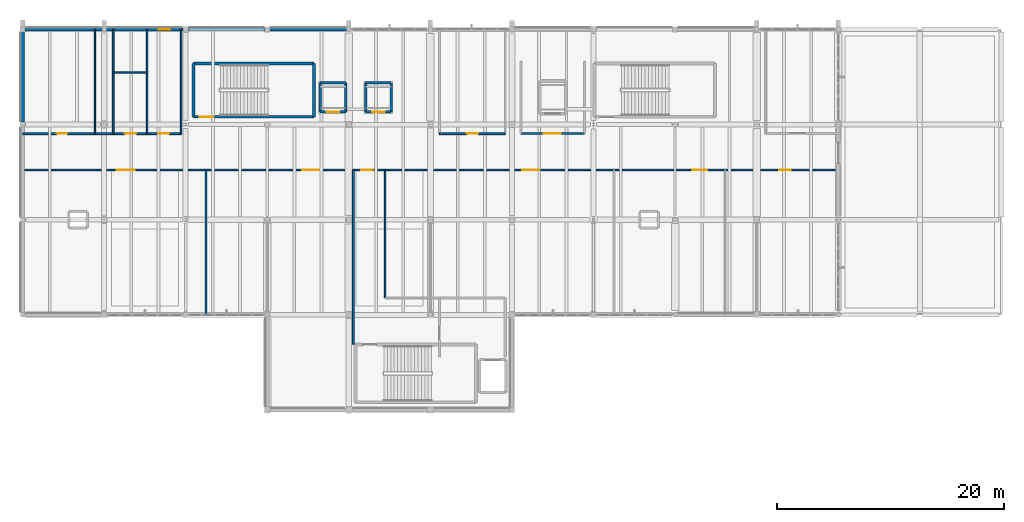
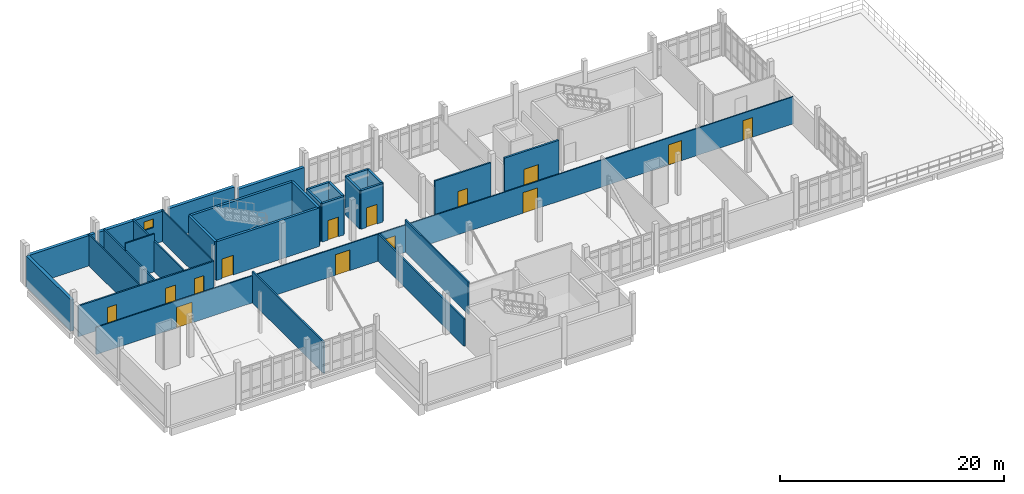
# One storey, part 29 of 34: 29 walls, 14 doors, 1 window, 15 openings.
"""IFC4 building model written with IfcOpenShell, lengths in metres."""

from ifc_helpers import new_model, si_unit, direction, frame, frame_2d, origin, place, context, subcontext, project, spatial, rectangle, extrude, material, layer, layer_set, type_object, element, fill, save


model = new_model("IFC4")

# Units and contexts
model_context = context("Model", 3, precision=1e-05, world=origin(), true_north=direction((0.0, 1.0)))
body_context = subcontext(model_context, "Body", "Model", "MODEL_VIEW")
ifc_project = project(units=[si_unit("LENGTHUNIT", "METRE"), si_unit("AREAUNIT", "SQUARE_METRE"), si_unit("VOLUMEUNIT", "CUBIC_METRE"), si_unit("PLANEANGLEUNIT", "RADIAN"), si_unit("MASSUNIT", "GRAM", prefix="KILO")], contexts=[model_context])

# Site, building, storey
site_placement = place(None, origin())
site = spatial("IfcSite", under=ifc_project, at=site_placement, CompositionType="ELEMENT")
building_placement = place(site_placement, origin())
building = spatial("IfcBuilding", under=site, at=building_placement, Name="Kalluvel Institute of Natural Sciences", CompositionType="ELEMENT")
storey_placement = place(building_placement, frame((0.0, 0.0, 36.89990234375)))
storey = spatial("IfcBuildingStorey", under=building, at=storey_placement, Name="L08", CompositionType="ELEMENT", Elevation=36.89990234375)

# Wall, opening, door
ifc_material_1 = material(Name="Concrete M40", Category="concrete")
ifc_layer_1 = layer(ifc_material_1, 0.25)
ifc_layer_set_1 = layer_set([ifc_layer_1], Name="Concrete M40")
wall_type_1 = type_object("IfcWallType", Name="WL-CORE-250", PredefinedType="SHEAR", material=ifc_layer_set_1)
wall_1_placement = place(storey_placement, frame((29.0849609375, 120.284912109375, 0.0), z_axis=(0.0, 0.0, 1.0), x_axis=(1.0, 0.0, 0.0)))
wall_1 = element("IfcWall", 1, at=wall_1_placement, inside=storey, type_object=wall_type_1, Name="ST1 L08 core wall S", PredefinedType="SHEAR", context=body_context, shape_type="SweptSolid", body=[
    extrude(rectangle(XDim=10.630126953125, YDim=0.25, at=frame_2d((5.31494140625, 0.0))), origin(), (0.0, 0.0, 1.0), 4.215087890625),
])
opening_1_placement = place(wall_1_placement, frame((0.550048828125, 0.0, 0.0)))
opening_1 = element("IfcOpeningElement", 2, at=opening_1_placement, cuts=wall_1, Name="Opening DS-010", PredefinedType="OPENING", context=body_context, shape_type="SweptSolid", body=[
    extrude(rectangle(XDim=1.199951171875, YDim=2.14990234375, at=frame_2d((0.60009765625, 1.074951171875))), frame((0.0, 0.135009765625, 0.0), z_axis=(0.0, -1.0, 0.0), x_axis=(1.0, 0.0, 0.0)), (0.0, 0.0, 1.0), 0.27001953125),
])
ifc_material_2 = material(Name="Galvanized Fire-Rated Steel", Category="steel")
door_type_1 = type_object("IfcDoorType", Name="DR-ST-1200", OperationType="NOTDEFINED", PredefinedType="DOOR", material=ifc_material_2)
door_1_placement = place(opening_1_placement, origin())
door_1 = element("IfcDoor", 3, at=door_1_placement, inside=storey, type_object=door_type_1, Name="ST1 L08 protected stair door DS-010", OperationType="SINGLE_SWING_RIGHT", OverallHeight=2.14990234375, OverallWidth=1.199951171875, PredefinedType="DOOR", context=body_context, shape_type="SweptSolid", body=[
    extrude(rectangle(XDim=1.199951171875, YDim=2.14990234375, at=frame_2d((0.60009765625, 1.074951171875))), frame((0.0, 0.02490234375, 0.0), z_axis=(0.0, -1.0, 0.0), x_axis=(1.0, 0.0, 0.0)), (0.0, 0.0, 1.0), 0.050048828125),
])
fill(opening_1, door_1)

# Walls
wall_2_placement = place(storey_placement, frame((39.715087890625, 120.284912109375, 0.0), z_axis=(0.0, 0.0, 1.0), x_axis=(0.0, 1.0, 0.0)))
element("IfcWall", 4, at=wall_2_placement, inside=storey, type_object=wall_type_1, Name="ST1 L08 core wall E", PredefinedType="SHEAR", context=body_context, shape_type="SweptSolid", body=[
    extrude(rectangle(XDim=4.7001953125, YDim=0.25, at=frame_2d((2.35009765625, 0.0))), origin(), (0.0, 0.0, 1.0), 4.215087890625),
])
wall_3_placement = place(storey_placement, frame((39.715087890625, 124.985107421875, 0.0), z_axis=(0.0, 0.0, 1.0), x_axis=(-1.0, 0.0, 0.0)))
element("IfcWall", 5, at=wall_3_placement, inside=storey, type_object=wall_type_1, Name="ST1 L08 core wall N", PredefinedType="SHEAR", context=body_context, shape_type="SweptSolid", body=[
    extrude(rectangle(XDim=10.630126953125, YDim=0.25, at=frame_2d((5.31494140625, 0.0))), origin(), (0.0, 0.0, 1.0), 4.215087890625),
])
wall_4_placement = place(storey_placement, frame((29.0849609375, 124.985107421875, 0.0), z_axis=(0.0, 0.0, 1.0), x_axis=(0.0, -1.0, 0.0)))
element("IfcWall", 6, at=wall_4_placement, inside=storey, type_object=wall_type_1, Name="ST1 L08 core wall W", PredefinedType="SHEAR", context=body_context, shape_type="SweptSolid", body=[
    extrude(rectangle(XDim=4.7001953125, YDim=0.25, at=frame_2d((2.35009765625, 0.0))), origin(), (0.0, 0.0, 1.0), 4.215087890625),
])
ifc_material_3 = material(Name="Sadarahalli Grey Granite Ashlar Concrete M40", Category="masonry")
ifc_layer_2 = layer(ifc_material_3, 0.320068359375)
ifc_layer_set_2 = layer_set([ifc_layer_2], Name="Sadarahalli Grey Granite Ashlar Concrete M40")
wall_type_2 = type_object("IfcWallType", Name="WL-EXT-320", PredefinedType="SOLIDWALL", material=ifc_layer_set_2)
wall_5_placement = place(storey_placement, frame((14.205078125, 128.0, 0.0), z_axis=(0.0, 0.0, 1.0), x_axis=(1.0, 0.0, 0.0)))
element("IfcWall", 7, at=wall_5_placement, inside=storey, type_object=wall_type_2, Name="L08 Sadarahalli granite exterior wall WL-EXT-L08-0100", PredefinedType="SOLIDWALL", context=body_context, shape_type="SweptSolid", body=[
    extrude(rectangle(XDim=6.81494140625, YDim=0.320068359375, at=frame_2d((3.407470703125, 0.0))), origin(), (0.0, 0.0, 1.0), 3.30517578125),
])

# Wall, opening, window
wall_6_placement = place(storey_placement, frame((21.3798828125, 128.0, 0.0), z_axis=(0.0, 0.0, 1.0), x_axis=(1.0, 0.0, 0.0)))
wall_6 = element("IfcWall", 8, at=wall_6_placement, inside=storey, type_object=wall_type_2, Name="L08 Sadarahalli granite exterior wall WL-EXT-L08-0101", PredefinedType="SOLIDWALL", context=body_context, shape_type="SweptSolid", body=[
    extrude(rectangle(XDim=6.7900390625, YDim=0.320068359375, at=frame_2d((3.39501953125, 0.0))), origin(), (0.0, 0.0, 1.0), 3.30517578125),
])
opening_2_placement = place(wall_6_placement, frame((4.64990234375, 0.0, 1.85009765625)))
opening_2 = element("IfcOpeningElement", 9, at=opening_2_placement, cuts=wall_6, Name="Opening W-23", PredefinedType="OPENING", context=body_context, shape_type="SweptSolid", body=[
    extrude(rectangle(XDim=1.0, YDim=0.949951171875, at=frame_2d((0.5, 0.47509765625))), frame((0.0, 0.169921875, 0.0), z_axis=(0.0, -1.0, 0.0), x_axis=(1.0, 0.0, 0.0)), (0.0, 0.0, 1.0), 0.340087890625),
])
ifc_material_4 = material(Name="Solar-Control Low-E Laminated Glass", Category="glass")
window_type = type_object("IfcWindowType", Name="WN-HIGH-100x095", PartitioningType="SINGLE_PANEL", PredefinedType="WINDOW", material=ifc_material_4)
window_placement = place(opening_2_placement, origin())
window = element("IfcWindow", 10, at=window_placement, inside=storey, type_object=window_type, Name="L08 Gothic lancet window 22", OverallHeight=0.949951171875, OverallWidth=1.0, PartitioningType="SINGLE_PANEL", PredefinedType="WINDOW", context=body_context, shape_type="SweptSolid", body=[
    extrude(rectangle(XDim=1.0, YDim=0.949951171875, at=frame_2d((0.5, 0.47509765625))), frame((0.0, 0.030029296875, 0.0), z_axis=(0.0, -1.0, 0.0), x_axis=(1.0, 0.0, 0.0)), (0.0, 0.0, 1.0), 0.06005859375),
])
fill(opening_2, window)

# Walls
wall_7_placement = place(storey_placement, frame((28.6298828125, 128.0, 0.0), z_axis=(0.0, 0.0, 1.0), x_axis=(1.0, 0.0, 0.0)))
element("IfcWall", 11, at=wall_7_placement, inside=storey, type_object=wall_type_2, Name="L08 Sadarahalli granite exterior wall WL-EXT-L08-0102", PredefinedType="SOLIDWALL", context=body_context, shape_type="SweptSolid", body=[
    extrude(rectangle(XDim=6.76513671875, YDim=0.320068359375, at=frame_2d((3.382568359375, 0.0))), origin(), (0.0, 0.0, 1.0), 3.35498046875),
])
wall_8_placement = place(storey_placement, frame((35.804931640625, 128.0, 0.0), z_axis=(0.0, 0.0, 1.0), x_axis=(1.0, 0.0, 0.0)))
element("IfcWall", 12, at=wall_8_placement, inside=storey, type_object=wall_type_2, Name="L08 Sadarahalli granite exterior wall WL-EXT-L08-0103", PredefinedType="SOLIDWALL", context=body_context, shape_type="SweptSolid", body=[
    extrude(rectangle(XDim=6.815185546875, YDim=0.320068359375, at=frame_2d((3.40771484375, 0.0))), origin(), (0.0, 0.0, 1.0), 2.955078125),
])
wall_9_placement = place(storey_placement, frame((14.0, 119.804931640625, 0.0), z_axis=(0.0, 0.0, 1.0), x_axis=(0.0, 1.0, 0.0)))
element("IfcWall", 13, at=wall_9_placement, inside=storey, type_object=wall_type_2, Name="L08 Sadarahalli granite exterior wall WL-EXT-L08-0112", PredefinedType="SOLIDWALL", context=body_context, shape_type="SweptSolid", body=[
    extrude(rectangle(XDim=7.989990234375, YDim=0.320068359375, at=frame_2d((3.9951171875, 0.0))), origin(), (0.0, 0.0, 1.0), 3.405029296875),
])

# Wall, opening, door
ifc_material_5 = material(Name="Autoclaved Aerated Concrete Masonry Block", Category="masonry")
ifc_layer_3 = layer(ifc_material_5, 0.199951171875)
ifc_layer_set_3 = layer_set([ifc_layer_3], Name="Autoclaved Aerated Concrete Masonry Block")
wall_type_3 = type_object("IfcWallType", Name="WL-FIRE-200", PredefinedType="SOLIDWALL", material=ifc_layer_set_3)
wall_10_placement = place(storey_placement, frame((58.0, 118.800048828125, 0.0), z_axis=(0.0, 0.0, 1.0), x_axis=(1.0, 0.0, 0.0)))
wall_10 = element("IfcWall", 14, at=wall_10_placement, inside=storey, type_object=wall_type_3, Name="L08 interior fire wall WL-INT-L08-0335", PredefinedType="SOLIDWALL", context=body_context, shape_type="SweptSolid", body=[
    extrude(rectangle(XDim=5.60009765625, YDim=0.199951171875, at=frame_2d((2.800048828125, 0.0))), origin(), (0.0, 0.0, 1.0), 4.1201171875),
])
opening_3_placement = place(wall_10_placement, frame((2.0, 0.0, 0.0)))
opening_3 = element("IfcOpeningElement", 15, at=opening_3_placement, cuts=wall_10, Name="Opening D-250", PredefinedType="OPENING", context=body_context, shape_type="SweptSolid", body=[
    extrude(rectangle(XDim=1.5, YDim=2.199951171875, at=frame_2d((0.75, 1.10009765625))), frame((0.0, 0.10986328125, 0.0), z_axis=(0.0, -1.0, 0.0), x_axis=(1.0, 0.0, 0.0)), (0.0, 0.0, 1.0), 0.219970703125),
])
door_type_2 = type_object("IfcDoorType", Name="DR-FD60-1500", OperationType="NOTDEFINED", PredefinedType="DOOR", material=ifc_material_2)
door_2_placement = place(opening_3_placement, origin())
door_2 = element("IfcDoor", 16, at=door_2_placement, inside=storey, type_object=door_type_2, Name="L08 FF1 door D-250", OperationType="DOUBLE_DOOR_SINGLE_SWING", OverallHeight=2.199951171875, OverallWidth=1.5, PredefinedType="DOOR", context=body_context, shape_type="SweptSolid", body=[
    extrude(rectangle(XDim=1.5, YDim=2.199951171875, at=frame_2d((0.75, 1.10009765625))), frame((0.0, 0.02490234375, 0.0), z_axis=(0.0, -1.0, 0.0), x_axis=(1.0, 0.0, 0.0)), (0.0, 0.0, 1.0), 0.050048828125),
])
fill(opening_3, door_2)

# Walls
ifc_material_6 = material(Name="Acoustic Gypsum Twin-Stud Partition", Category="gypsum")
ifc_layer_4 = layer(ifc_material_6, 0.1201171875)
ifc_layer_set_4 = layer_set([ifc_layer_4], Name="Acoustic Gypsum Twin-Stud Partition")
wall_type_4 = type_object("IfcWallType", Name="WL-PART-120", PredefinedType="PARTITIONING", material=ifc_layer_set_4)
wall_11_placement = place(storey_placement, frame((20.39990234375, 118.800048828125, 0.0), z_axis=(0.0, 0.0, 1.0), x_axis=(0.0, 1.0, 0.0)))
element("IfcWall", 17, at=wall_11_placement, inside=storey, type_object=wall_type_4, Name="L08 interior partition wall WL-INT-L08-0346", PredefinedType="PARTITIONING", context=body_context, shape_type="SweptSolid", body=[
    extrude(rectangle(XDim=9.199951171875, YDim=0.1201171875, at=frame_2d((4.60009765625, 0.0))), origin(), (0.0, 0.0, 1.0), 3.41015625),
])
wall_12_placement = place(storey_placement, frame((28.0, 118.800048828125, 0.0), z_axis=(0.0, 0.0, 1.0), x_axis=(0.0, 1.0, 0.0)))
element("IfcWall", 18, at=wall_12_placement, inside=storey, type_object=wall_type_4, Name="L08 interior partition wall WL-INT-L08-0349", PredefinedType="PARTITIONING", context=body_context, shape_type="SweptSolid", body=[
    extrude(rectangle(XDim=9.199951171875, YDim=0.1201171875, at=frame_2d((4.60009765625, 0.0))), origin(), (0.0, 0.0, 1.0), 3.360107421875),
])

# Wall, openings, doors
wall_13_placement = place(storey_placement, frame((14.0, 115.60009765625, 0.0), z_axis=(0.0, 0.0, 1.0), x_axis=(1.0, 0.0, 0.0)))
wall_13 = element("IfcWall", 19, at=wall_13_placement, inside=storey, type_object=wall_type_4, Name="L08 interior partition wall WL-INT-L08-0355", PredefinedType="PARTITIONING", context=body_context, shape_type="SweptSolid", body=[
    extrude(rectangle(XDim=72.0, YDim=0.1201171875, at=frame_2d((36.0, 0.0))), origin(), (0.0, 0.0, 1.0), 2.960205078125),
])
opening_4_placement = place(wall_13_placement, frame((29.89990234375, 0.0, 0.0)))
opening_4 = element("IfcOpeningElement", 20, at=opening_4_placement, cuts=wall_13, Name="Opening D-257", PredefinedType="OPENING", context=body_context, shape_type="SweptSolid", body=[
    extrude(rectangle(XDim=1.0, YDim=2.14990234375, at=frame_2d((0.5, 1.074951171875))), frame((0.0, 0.070068359375, 0.0), z_axis=(0.0, -1.0, 0.0), x_axis=(1.0, 0.0, 0.0)), (0.0, 0.0, 1.0), 0.14013671875),
])
opening_5_placement = place(wall_13_placement, frame((8.300048828125, 0.0, 0.0)))
opening_5 = element("IfcOpeningElement", 21, at=opening_5_placement, cuts=wall_13, Name="Opening D-258", PredefinedType="OPENING", context=body_context, shape_type="SweptSolid", body=[
    extrude(rectangle(XDim=1.60009765625, YDim=2.25, at=frame_2d((0.800048828125, 1.125))), frame((0.0, 0.070068359375, 0.0), z_axis=(0.0, -1.0, 0.0), x_axis=(1.0, 0.0, 0.0)), (0.0, 0.0, 1.0), 0.14013671875),
])
opening_6_placement = place(wall_13_placement, frame((24.699951171875, 0.0, 0.0)))
opening_6 = element("IfcOpeningElement", 22, at=opening_6_placement, cuts=wall_13, Name="Opening D-259", PredefinedType="OPENING", context=body_context, shape_type="SweptSolid", body=[
    extrude(rectangle(XDim=1.5, YDim=2.25, at=frame_2d((0.75, 1.125))), frame((0.0, 0.070068359375, 0.0), z_axis=(0.0, -1.0, 0.0), x_axis=(1.0, 0.0, 0.0)), (0.0, 0.0, 1.0), 0.14013671875),
])
opening_7_placement = place(wall_13_placement, frame((44.10009765625, 0.0, 0.0)))
opening_7 = element("IfcOpeningElement", 23, at=opening_7_placement, cuts=wall_13, Name="Opening D-260", PredefinedType="OPENING", context=body_context, shape_type="SweptSolid", body=[
    extrude(rectangle(XDim=1.5, YDim=2.25, at=frame_2d((0.75, 1.125))), frame((0.0, 0.070068359375, 0.0), z_axis=(0.0, -1.0, 0.0), x_axis=(1.0, 0.0, 0.0)), (0.0, 0.0, 1.0), 0.14013671875),
])
opening_8_placement = place(wall_13_placement, frame((59.10009765625, 0.0, 0.0)))
opening_8 = element("IfcOpeningElement", 24, at=opening_8_placement, cuts=wall_13, Name="Opening D-261", PredefinedType="OPENING", context=body_context, shape_type="SweptSolid", body=[
    extrude(rectangle(XDim=1.35009765625, YDim=2.199951171875, at=frame_2d((0.675048828125, 1.10009765625))), frame((0.0, 0.070068359375, 0.0), z_axis=(0.0, -1.0, 0.0), x_axis=(1.0, 0.0, 0.0)), (0.0, 0.0, 1.0), 0.14013671875),
])
opening_9_placement = place(wall_13_placement, frame((66.800048828125, 0.0, 0.0)))
opening_9 = element("IfcOpeningElement", 25, at=opening_9_placement, cuts=wall_13, Name="Opening D-262", PredefinedType="OPENING", context=body_context, shape_type="SweptSolid", body=[
    extrude(rectangle(XDim=1.0, YDim=2.14990234375, at=frame_2d((0.5, 1.074951171875))), frame((0.0, 0.070068359375, 0.0), z_axis=(0.0, -1.0, 0.0), x_axis=(1.0, 0.0, 0.0)), (0.0, 0.0, 1.0), 0.14013671875),
])
ifc_material_7 = material(Name="Aluminium AW-6063 T6", Category="aluminium")
door_type_3 = type_object("IfcDoorType", Name="DR-DBL-1600", OperationType="NOTDEFINED", PredefinedType="DOOR", material=ifc_material_7)
door_3_placement = place(opening_5_placement, origin())
door_3 = element("IfcDoor", 26, at=door_3_placement, inside=storey, type_object=door_type_3, Name="Principal Investigators Executive Boardroom door D-258", OperationType="DOUBLE_DOOR_SINGLE_SWING", OverallHeight=2.25, OverallWidth=1.60009765625, PredefinedType="DOOR", context=body_context, shape_type="SweptSolid", body=[
    extrude(rectangle(XDim=1.60009765625, YDim=2.25, at=frame_2d((0.800048828125, 1.125))), frame((0.0, 0.02490234375, 0.0), z_axis=(0.0, -1.0, 0.0), x_axis=(1.0, 0.0, 0.0)), (0.0, 0.0, 1.0), 0.050048828125),
])
fill(opening_5, door_3)
ifc_material_8 = material(Name="Engineered Hardwood Acoustic Leaf", Category="wood")
door_type_4 = type_object("IfcDoorType", Name="DR-INT-1000", OperationType="NOTDEFINED", PredefinedType="DOOR", material=ifc_material_8)
door_4_placement = place(opening_4_placement, origin())
door_4 = element("IfcDoor", 27, at=door_4_placement, inside=storey, type_object=door_type_4, Name="L08 Knuckle to Spine door D-257", OperationType="SINGLE_SWING_RIGHT", OverallHeight=2.14990234375, OverallWidth=1.0, PredefinedType="DOOR", context=body_context, shape_type="SweptSolid", body=[
    extrude(rectangle(XDim=1.0, YDim=2.14990234375, at=frame_2d((0.5, 1.074951171875))), frame((0.0, 0.02490234375, 0.0), z_axis=(0.0, -1.0, 0.0), x_axis=(1.0, 0.0, 0.0)), (0.0, 0.0, 1.0), 0.050048828125),
])
fill(opening_4, door_4)
door_5_placement = place(opening_9_placement, origin())
door_5 = element("IfcDoor", 28, at=door_5_placement, inside=storey, type_object=door_type_4, Name="Directorate Archive and Seminar Suite door D-262", OperationType="SINGLE_SWING_LEFT", OverallHeight=2.14990234375, OverallWidth=1.0, PredefinedType="DOOR", context=body_context, shape_type="SweptSolid", body=[
    extrude(rectangle(XDim=1.0, YDim=2.14990234375, at=frame_2d((0.5, 1.074951171875))), frame((0.0, 0.02490234375, 0.0), z_axis=(0.0, -1.0, 0.0), x_axis=(1.0, 0.0, 0.0)), (0.0, 0.0, 1.0), 0.050048828125),
])
fill(opening_9, door_5)
door_type_5 = type_object("IfcDoorType", Name="DR-INT-1350", OperationType="NOTDEFINED", PredefinedType="DOOR", material=ifc_material_7)
door_6_placement = place(opening_8_placement, origin())
door_6 = element("IfcDoor", 29, at=door_6_placement, inside=storey, type_object=door_type_5, Name="Observatory Calibration Write-Up Studio door D-261", OperationType="SINGLE_SWING_RIGHT", OverallHeight=2.199951171875, OverallWidth=1.35009765625, PredefinedType="DOOR", context=body_context, shape_type="SweptSolid", body=[
    extrude(rectangle(XDim=1.35009765625, YDim=2.199951171875, at=frame_2d((0.675048828125, 1.10009765625))), frame((0.0, 0.02490234375, 0.0), z_axis=(0.0, -1.0, 0.0), x_axis=(1.0, 0.0, 0.0)), (0.0, 0.0, 1.0), 0.050048828125),
])
fill(opening_8, door_6)
door_type_6 = type_object("IfcDoorType", Name="DR-LAB-1500", OperationType="NOTDEFINED", PredefinedType="DOOR", material=ifc_material_7)
door_7_placement = place(opening_6_placement, origin())
door_7 = element("IfcDoor", 30, at=door_7_placement, inside=storey, type_object=door_type_6, Name="Advanced Climate Modelling and Telemetry Laboratory door D-259", OperationType="DOUBLE_DOOR_SINGLE_SWING", OverallHeight=2.25, OverallWidth=1.5, PredefinedType="DOOR", context=body_context, shape_type="SweptSolid", body=[
    extrude(rectangle(XDim=1.5, YDim=2.25, at=frame_2d((0.75, 1.125))), frame((0.0, 0.02490234375, 0.0), z_axis=(0.0, -1.0, 0.0), x_axis=(1.0, 0.0, 0.0)), (0.0, 0.0, 1.0), 0.050048828125),
])
fill(opening_6, door_7)
door_8_placement = place(opening_7_placement, origin())
door_8 = element("IfcDoor", 31, at=door_8_placement, inside=storey, type_object=door_type_6, Name="Canopy Flux and Monsoon Observatory Laboratory door D-260", OperationType="DOUBLE_DOOR_SINGLE_SWING", OverallHeight=2.25, OverallWidth=1.5, PredefinedType="DOOR", context=body_context, shape_type="SweptSolid", body=[
    extrude(rectangle(XDim=1.5, YDim=2.25, at=frame_2d((0.75, 1.125))), frame((0.0, 0.02490234375, 0.0), z_axis=(0.0, -1.0, 0.0), x_axis=(1.0, 0.0, 0.0)), (0.0, 0.0, 1.0), 0.050048828125),
])
fill(opening_7, door_8)

# Walls
ifc_layer_5 = layer(ifc_material_6, 0.139892578125)
ifc_layer_set_5 = layer_set([ifc_layer_5], Name="Acoustic Gypsum Twin-Stud Partition")
wall_type_5 = type_object("IfcWallType", Name="WL-PART-140", PredefinedType="PARTITIONING", material=ifc_layer_set_5)
wall_14_placement = place(storey_placement, frame((46.0, 104.300048828125, 0.0), z_axis=(0.0, 0.0, 1.0), x_axis=(0.0, 1.0, 0.0)))
element("IfcWall", 32, at=wall_14_placement, inside=storey, type_object=wall_type_5, Name="L08 interior partition wall WL-INT-L08-0342", PredefinedType="PARTITIONING", context=body_context, shape_type="SweptSolid", body=[
    extrude(rectangle(XDim=11.300048828125, YDim=0.139892578125, at=frame_2d((5.64990234375, 0.0))), origin(), (0.0, 0.0, 1.0), 3.52001953125),
])
wall_15_placement = place(storey_placement, frame((22.0, 124.199951171875, 0.0), z_axis=(0.0, 0.0, 1.0), x_axis=(1.0, 0.0, 0.0)))
element("IfcWall", 33, at=wall_15_placement, inside=storey, type_object=wall_type_5, Name="L08 interior partition wall WL-INT-L08-0345", PredefinedType="PARTITIONING", context=body_context, shape_type="SweptSolid", body=[
    extrude(rectangle(XDim=3.0, YDim=0.139892578125, at=frame_2d((1.5, 0.0))), origin(), (0.0, 0.0, 1.0), 4.1201171875),
])
wall_16_placement = place(storey_placement, frame((25.0, 118.800048828125, 0.0), z_axis=(0.0, 0.0, 1.0), x_axis=(0.0, 1.0, 0.0)))
element("IfcWall", 34, at=wall_16_placement, inside=storey, type_object=wall_type_5, Name="L08 interior partition wall WL-INT-L08-0348", PredefinedType="PARTITIONING", context=body_context, shape_type="SweptSolid", body=[
    extrude(rectangle(XDim=9.199951171875, YDim=0.139892578125, at=frame_2d((4.60009765625, 0.0))), origin(), (0.0, 0.0, 1.0), 3.360107421875),
])
ifc_layer_6 = layer(ifc_material_5, 0.159912109375)
ifc_layer_set_6 = layer_set([ifc_layer_6], Name="Autoclaved Aerated Concrete Masonry Block")
wall_type_6 = type_object("IfcWallType", Name="WL-PART-160", PredefinedType="PARTITIONING", material=ifc_layer_set_6)
wall_17_placement = place(storey_placement, frame((43.199951171875, 100.199951171875, 0.0), z_axis=(0.0, 0.0, 1.0), x_axis=(0.0, 1.0, 0.0)))
element("IfcWall", 35, at=wall_17_placement, inside=storey, type_object=wall_type_6, Name="L08 interior partition wall WL-INT-L08-0341", PredefinedType="PARTITIONING", context=body_context, shape_type="SweptSolid", body=[
    extrude(rectangle(XDim=15.400146484375, YDim=0.159912109375, at=frame_2d((7.7001953125, 0.0))), origin(), (0.0, 0.0, 1.0), 2.960205078125),
])

# Wall, openings, doors
wall_18_placement = place(storey_placement, frame((14.0, 118.800048828125, 0.0), z_axis=(0.0, 0.0, 1.0), x_axis=(1.0, 0.0, 0.0)))
wall_18 = element("IfcWall", 36, at=wall_18_placement, inside=storey, type_object=wall_type_6, Name="L08 interior partition wall WL-INT-L08-0344", PredefinedType="PARTITIONING", context=body_context, shape_type="SweptSolid", body=[
    extrude(rectangle(XDim=14.0, YDim=0.159912109375, at=frame_2d((7.0, 0.0))), origin(), (0.0, 0.0, 1.0), 3.360107421875),
])
opening_10_placement = place(wall_18_placement, frame((3.0, 0.0, 0.0)))
opening_10 = element("IfcOpeningElement", 37, at=opening_10_placement, cuts=wall_18, Name="Opening D-252", PredefinedType="OPENING", context=body_context, shape_type="SweptSolid", body=[
    extrude(rectangle(XDim=0.949951171875, YDim=2.14990234375, at=frame_2d((0.47509765625, 1.074951171875))), frame((0.0, 0.08984375, 0.0), z_axis=(0.0, -1.0, 0.0), x_axis=(1.0, 0.0, 0.0)), (0.0, 0.0, 1.0), 0.179931640625),
])
opening_11_placement = place(wall_18_placement, frame((9.0, 0.0, 0.0)))
opening_11 = element("IfcOpeningElement", 38, at=opening_11_placement, cuts=wall_18, Name="Opening D-253", PredefinedType="OPENING", context=body_context, shape_type="SweptSolid", body=[
    extrude(rectangle(XDim=1.050048828125, YDim=2.14990234375, at=frame_2d((0.52490234375, 1.074951171875))), frame((0.0, 0.08984375, 0.0), z_axis=(0.0, -1.0, 0.0), x_axis=(1.0, 0.0, 0.0)), (0.0, 0.0, 1.0), 0.179931640625),
])
opening_12_placement = place(wall_18_placement, frame((12.0, 0.0, 0.0)))
opening_12 = element("IfcOpeningElement", 39, at=opening_12_placement, cuts=wall_18, Name="Opening D-254", PredefinedType="OPENING", context=body_context, shape_type="SweptSolid", body=[
    extrude(rectangle(XDim=0.949951171875, YDim=2.14990234375, at=frame_2d((0.47509765625, 1.074951171875))), frame((0.0, 0.08984375, 0.0), z_axis=(0.0, -1.0, 0.0), x_axis=(1.0, 0.0, 0.0)), (0.0, 0.0, 1.0), 0.179931640625),
])
door_type_7 = type_object("IfcDoorType", Name="DR-ACC-1050", OperationType="NOTDEFINED", PredefinedType="DOOR", material=ifc_material_8)
door_9_placement = place(opening_11_placement, origin())
door_9 = element("IfcDoor", 40, at=door_9_placement, inside=storey, type_object=door_type_7, Name="L08 Accessible WC door D-253", OperationType="SINGLE_SWING_RIGHT", OverallHeight=2.14990234375, OverallWidth=1.050048828125, PredefinedType="DOOR", context=body_context, shape_type="SweptSolid", body=[
    extrude(rectangle(XDim=1.050048828125, YDim=2.14990234375, at=frame_2d((0.52490234375, 1.074951171875))), frame((0.0, 0.02490234375, 0.0), z_axis=(0.0, -1.0, 0.0), x_axis=(1.0, 0.0, 0.0)), (0.0, 0.0, 1.0), 0.050048828125),
])
fill(opening_11, door_9)
door_type_8 = type_object("IfcDoorType", Name="DR-INT-950", OperationType="NOTDEFINED", PredefinedType="DOOR", material=ifc_material_8)
door_10_placement = place(opening_10_placement, origin())
door_10 = element("IfcDoor", 41, at=door_10_placement, inside=storey, type_object=door_type_8, Name="L08 Male WC door D-252", OperationType="SINGLE_SWING_LEFT", OverallHeight=2.14990234375, OverallWidth=0.949951171875, PredefinedType="DOOR", context=body_context, shape_type="SweptSolid", body=[
    extrude(rectangle(XDim=0.949951171875, YDim=2.14990234375, at=frame_2d((0.47509765625, 1.074951171875))), frame((0.0, 0.02490234375, 0.0), z_axis=(0.0, -1.0, 0.0), x_axis=(1.0, 0.0, 0.0)), (0.0, 0.0, 1.0), 0.050048828125),
])
fill(opening_10, door_10)
door_11_placement = place(opening_12_placement, origin())
door_11 = element("IfcDoor", 42, at=door_11_placement, inside=storey, type_object=door_type_8, Name="L08 Female WC door D-254", OperationType="SINGLE_SWING_LEFT", OverallHeight=2.14990234375, OverallWidth=0.949951171875, PredefinedType="DOOR", context=body_context, shape_type="SweptSolid", body=[
    extrude(rectangle(XDim=0.949951171875, YDim=2.14990234375, at=frame_2d((0.47509765625, 1.074951171875))), frame((0.0, 0.02490234375, 0.0), z_axis=(0.0, -1.0, 0.0), x_axis=(1.0, 0.0, 0.0)), (0.0, 0.0, 1.0), 0.050048828125),
])
fill(opening_12, door_11)

# Wall
wall_19_placement = place(storey_placement, frame((22.0, 118.800048828125, 0.0), z_axis=(0.0, 0.0, 1.0), x_axis=(0.0, 1.0, 0.0)))
element("IfcWall", 43, at=wall_19_placement, inside=storey, type_object=wall_type_6, Name="L08 interior partition wall WL-INT-L08-0347", PredefinedType="PARTITIONING", context=body_context, shape_type="SweptSolid", body=[
    extrude(rectangle(XDim=9.199951171875, YDim=0.159912109375, at=frame_2d((4.60009765625, 0.0))), origin(), (0.0, 0.0, 1.0), 3.360107421875),
])

# Wall, opening, door
wall_20_placement = place(storey_placement, frame((50.800048828125, 118.800048828125, 0.0), z_axis=(0.0, 0.0, 1.0), x_axis=(1.0, 0.0, 0.0)))
wall_20 = element("IfcWall", 44, at=wall_20_placement, inside=storey, type_object=wall_type_6, Name="L08 interior partition wall WL-INT-L08-0350", PredefinedType="PARTITIONING", context=body_context, shape_type="SweptSolid", body=[
    extrude(rectangle(XDim=5.800048828125, YDim=0.159912109375, at=frame_2d((2.89990234375, 0.0))), origin(), (0.0, 0.0, 1.0), 4.1201171875),
])
opening_13_placement = place(wall_20_placement, frame((2.39990234375, 0.0, 0.0)))
opening_13 = element("IfcOpeningElement", 45, at=opening_13_placement, cuts=wall_20, Name="Opening D-255", PredefinedType="OPENING", context=body_context, shape_type="SweptSolid", body=[
    extrude(rectangle(XDim=1.0, YDim=2.14990234375, at=frame_2d((0.5, 1.074951171875))), frame((0.0, 0.08984375, 0.0), z_axis=(0.0, -1.0, 0.0), x_axis=(1.0, 0.0, 0.0)), (0.0, 0.0, 1.0), 0.179931640625),
])
door_12_placement = place(opening_13_placement, origin())
door_12 = element("IfcDoor", 46, at=door_12_placement, inside=storey, type_object=door_type_4, Name="L08 North Write-Up door D-255", OperationType="SINGLE_SWING_RIGHT", OverallHeight=2.14990234375, OverallWidth=1.0, PredefinedType="DOOR", context=body_context, shape_type="SweptSolid", body=[
    extrude(rectangle(XDim=1.0, YDim=2.14990234375, at=frame_2d((0.5, 1.074951171875))), frame((0.0, 0.02490234375, 0.0), z_axis=(0.0, -1.0, 0.0), x_axis=(1.0, 0.0, 0.0)), (0.0, 0.0, 1.0), 0.050048828125),
])
fill(opening_13, door_12)

# Wall
wall_21_placement = place(storey_placement, frame((30.199951171875, 102.800048828125, 0.0), z_axis=(0.0, 0.0, 1.0), x_axis=(0.0, 1.0, 0.0)))
element("IfcWall", 47, at=wall_21_placement, inside=storey, type_object=wall_type_6, Name="L08 interior partition wall WL-INT-L08-0356", PredefinedType="PARTITIONING", context=body_context, shape_type="SweptSolid", body=[
    extrude(rectangle(XDim=12.800048828125, YDim=0.159912109375, at=frame_2d((6.39990234375, 0.0))), origin(), (0.0, 0.0, 1.0), 3.41015625),
])

# Wall, opening, door
ifc_layer_7 = layer(ifc_material_1, 0.219970703125)
ifc_layer_set_7 = layer_set([ifc_layer_7], Name="Concrete M40")
wall_type_7 = type_object("IfcWallType", Name="WL-SHAFT-220", PredefinedType="SHEAR", material=ifc_layer_set_7)
wall_22_placement = place(storey_placement, frame((40.27001953125, 120.719970703125, 0.0), z_axis=(0.0, 0.0, 1.0), x_axis=(1.0, 0.0, 0.0)))
wall_22 = element("IfcWall", 48, at=wall_22_placement, inside=storey, type_object=wall_type_7, Name="LF1 L08 lift shaft wall", PredefinedType="SHEAR", context=body_context, shape_type="SweptSolid", body=[
    extrude(rectangle(XDim=2.260009765625, YDim=0.219970703125, at=frame_2d((1.1298828125, 0.0))), origin(), (0.0, 0.0, 1.0), 4.215087890625),
])
opening_14_placement = place(wall_22_placement, frame((0.580078125, 0.0, 0.0)))
opening_14 = element("IfcOpeningElement", 49, at=opening_14_placement, cuts=wall_22, Name="Opening LD-010", PredefinedType="OPENING", context=body_context, shape_type="SweptSolid", body=[
    extrude(rectangle(XDim=1.10009765625, YDim=2.14990234375, at=frame_2d((0.550048828125, 1.074951171875))), frame((0.0, 0.119873046875, 0.0), z_axis=(0.0, -1.0, 0.0), x_axis=(1.0, 0.0, 0.0)), (0.0, 0.0, 1.0), 0.239990234375),
])
door_type_9 = type_object("IfcDoorType", Name="DR-LD-1100", OperationType="NOTDEFINED", PredefinedType="DOOR", material=ifc_material_2)
door_13_placement = place(opening_14_placement, origin())
door_13 = element("IfcDoor", 50, at=door_13_placement, inside=storey, type_object=door_type_9, Name="LF1 L08 sliding lift landing door LD-010", OperationType="DOUBLE_DOOR_SLIDING", OverallHeight=2.14990234375, OverallWidth=1.10009765625, PredefinedType="DOOR", context=body_context, shape_type="SweptSolid", body=[
    extrude(rectangle(XDim=1.10009765625, YDim=2.14990234375, at=frame_2d((0.550048828125, 1.074951171875))), frame((0.0, 0.02490234375, 0.0), z_axis=(0.0, -1.0, 0.0), x_axis=(1.0, 0.0, 0.0)), (0.0, 0.0, 1.0), 0.050048828125),
])
fill(opening_14, door_13)

# Walls
wall_23_placement = place(storey_placement, frame((42.530029296875, 120.719970703125, 0.0), z_axis=(0.0, 0.0, 1.0), x_axis=(0.0, 1.0, 0.0)))
element("IfcWall", 51, at=wall_23_placement, inside=storey, type_object=wall_type_7, Name="LF1 L08 lift shaft wall", PredefinedType="SHEAR", context=body_context, shape_type="SweptSolid", body=[
    extrude(rectangle(XDim=2.56005859375, YDim=0.219970703125, at=frame_2d((1.280029296875, 0.0))), origin(), (0.0, 0.0, 1.0), 4.215087890625),
])
wall_24_placement = place(storey_placement, frame((42.530029296875, 123.280029296875, 0.0), z_axis=(0.0, 0.0, 1.0), x_axis=(-1.0, 0.0, 0.0)))
element("IfcWall", 52, at=wall_24_placement, inside=storey, type_object=wall_type_7, Name="LF1 L08 lift shaft wall", PredefinedType="SHEAR", context=body_context, shape_type="SweptSolid", body=[
    extrude(rectangle(XDim=2.260009765625, YDim=0.219970703125, at=frame_2d((1.1298828125, 0.0))), origin(), (0.0, 0.0, 1.0), 4.215087890625),
])
wall_25_placement = place(storey_placement, frame((40.27001953125, 123.280029296875, 0.0), z_axis=(0.0, 0.0, 1.0), x_axis=(0.0, -1.0, 0.0)))
element("IfcWall", 53, at=wall_25_placement, inside=storey, type_object=wall_type_7, Name="LF1 L08 lift shaft wall", PredefinedType="SHEAR", context=body_context, shape_type="SweptSolid", body=[
    extrude(rectangle(XDim=2.56005859375, YDim=0.219970703125, at=frame_2d((1.280029296875, 0.0))), origin(), (0.0, 0.0, 1.0), 4.215087890625),
])

# Wall, opening, door
wall_26_placement = place(storey_placement, frame((44.27001953125, 120.719970703125, 0.0), z_axis=(0.0, 0.0, 1.0), x_axis=(1.0, 0.0, 0.0)))
wall_26 = element("IfcWall", 54, at=wall_26_placement, inside=storey, type_object=wall_type_7, Name="LF2 L08 lift shaft wall", PredefinedType="SHEAR", context=body_context, shape_type="SweptSolid", body=[
    extrude(rectangle(XDim=2.260009765625, YDim=0.219970703125, at=frame_2d((1.1298828125, 0.0))), origin(), (0.0, 0.0, 1.0), 4.215087890625),
])
opening_15_placement = place(wall_26_placement, frame((0.580078125, 0.0, 0.0)))
opening_15 = element("IfcOpeningElement", 55, at=opening_15_placement, cuts=wall_26, Name="Opening LD-020", PredefinedType="OPENING", context=body_context, shape_type="SweptSolid", body=[
    extrude(rectangle(XDim=1.10009765625, YDim=2.14990234375, at=frame_2d((0.550048828125, 1.074951171875))), frame((0.0, 0.119873046875, 0.0), z_axis=(0.0, -1.0, 0.0), x_axis=(1.0, 0.0, 0.0)), (0.0, 0.0, 1.0), 0.239990234375),
])
door_14_placement = place(opening_15_placement, origin())
door_14 = element("IfcDoor", 56, at=door_14_placement, inside=storey, type_object=door_type_9, Name="LF2 L08 sliding lift landing door LD-020", OperationType="DOUBLE_DOOR_SLIDING", OverallHeight=2.14990234375, OverallWidth=1.10009765625, PredefinedType="DOOR", context=body_context, shape_type="SweptSolid", body=[
    extrude(rectangle(XDim=1.10009765625, YDim=2.14990234375, at=frame_2d((0.550048828125, 1.074951171875))), frame((0.0, 0.02490234375, 0.0), z_axis=(0.0, -1.0, 0.0), x_axis=(1.0, 0.0, 0.0)), (0.0, 0.0, 1.0), 0.050048828125),
])
fill(opening_15, door_14)

# Walls
wall_27_placement = place(storey_placement, frame((46.530029296875, 120.719970703125, 0.0), z_axis=(0.0, 0.0, 1.0), x_axis=(0.0, 1.0, 0.0)))
element("IfcWall", 57, at=wall_27_placement, inside=storey, type_object=wall_type_7, Name="LF2 L08 lift shaft wall", PredefinedType="SHEAR", context=body_context, shape_type="SweptSolid", body=[
    extrude(rectangle(XDim=2.56005859375, YDim=0.219970703125, at=frame_2d((1.280029296875, 0.0))), origin(), (0.0, 0.0, 1.0), 4.215087890625),
])
wall_28_placement = place(storey_placement, frame((46.530029296875, 123.280029296875, 0.0), z_axis=(0.0, 0.0, 1.0), x_axis=(-1.0, 0.0, 0.0)))
element("IfcWall", 58, at=wall_28_placement, inside=storey, type_object=wall_type_7, Name="LF2 L08 lift shaft wall", PredefinedType="SHEAR", context=body_context, shape_type="SweptSolid", body=[
    extrude(rectangle(XDim=2.260009765625, YDim=0.219970703125, at=frame_2d((1.1298828125, 0.0))), origin(), (0.0, 0.0, 1.0), 4.215087890625),
])
wall_29_placement = place(storey_placement, frame((44.27001953125, 123.280029296875, 0.0), z_axis=(0.0, 0.0, 1.0), x_axis=(0.0, -1.0, 0.0)))
element("IfcWall", 59, at=wall_29_placement, inside=storey, type_object=wall_type_7, Name="LF2 L08 lift shaft wall", PredefinedType="SHEAR", context=body_context, shape_type="SweptSolid", body=[
    extrude(rectangle(XDim=2.56005859375, YDim=0.219970703125, at=frame_2d((1.280029296875, 0.0))), origin(), (0.0, 0.0, 1.0), 4.215087890625),
])

save(model, "model.ifc")
